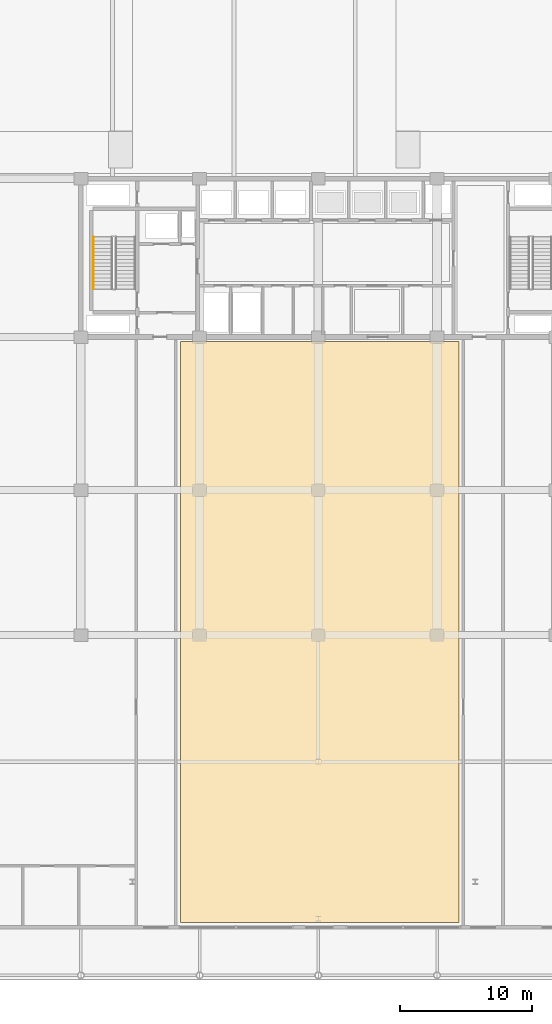
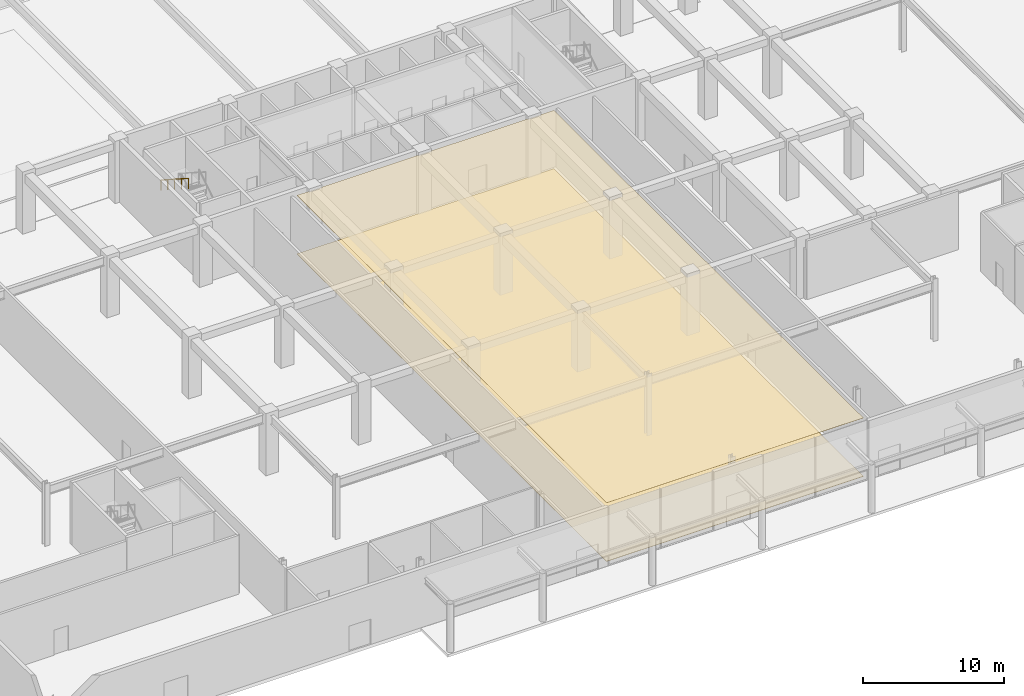
# One storey, part 34 of 46: 2 coverings, 1 railing.
"""IFC4 building model written with IfcOpenShell, lengths in metres."""

from ifc_helpers import new_model, si_unit, direction, frame, origin, origin_2d, place, context, subcontext, project, spatial, polyline, circle, outline, extrude, material, layer, layer_set, type_object, element, save


model = new_model("IFC4")

# Units and contexts
model_context = context("Model", 3, precision=1e-05, world=origin(), true_north=direction((0.0, 1.0)))
body_context = subcontext(model_context, "Body", "Model", "MODEL_VIEW")
ifc_project = project(units=[si_unit("LENGTHUNIT", "METRE"), si_unit("AREAUNIT", "SQUARE_METRE"), si_unit("VOLUMEUNIT", "CUBIC_METRE"), si_unit("PLANEANGLEUNIT", "RADIAN"), si_unit("MASSUNIT", "GRAM", prefix="KILO")], contexts=[model_context])

# Site, building, storey
site_placement = place(None, origin())
site = spatial("IfcSite", under=ifc_project, at=site_placement, CompositionType="ELEMENT")
building_placement = place(site_placement, origin())
building = spatial("IfcBuilding", under=site, at=building_placement, Name="Korimba Cascade Residences", CompositionType="ELEMENT")
storey_placement = place(building_placement, origin())
storey = spatial("IfcBuildingStorey", under=building, at=storey_placement, Name="L00", CompositionType="ELEMENT", Elevation=0.0)

# Coverings
ifc_material_1 = material(Name="Perforated Acoustic Gypsum Ceiling", Category="gypsum")
ifc_layer_1 = layer(ifc_material_1, 0.02490234375)
ifc_layer_set_1 = layer_set([ifc_layer_1], Name="Perforated Acoustic Gypsum Ceiling")
covering_type_1 = type_object("IfcCoveringType", Name="COV-CLG-AC", PredefinedType="CEILING", material=ifc_layer_set_1)
covering_1_placement = place(storey_placement, frame((0.0, 0.0, 5.074951171875)))
element("IfcCovering", 1, at=covering_1_placement, inside=storey, type_object=covering_type_1, Name="L00 Suspended Acoustic Ceiling L00-LB1", PredefinedType="CEILING", context=body_context, shape_type="SweptSolid", body=[
    extrude(outline(polyline([(89.64990234375, -26.0), (110.75, -26.0), (110.75, 18.050048828125), (89.64990234375, 18.050048828125), (89.64990234375, -26.0)])), origin(), (0.0, 0.0, 1.0), 0.025146484375),
])
ifc_material_2 = material(Name="Honed Travertine Stone Flooring", Category="masonry")
ifc_layer_2 = layer(ifc_material_2, 0.02490234375)
ifc_layer_set_2 = layer_set([ifc_layer_2], Name="Honed Travertine Stone Flooring")
covering_type_2 = type_object("IfcCoveringType", Name="COV-FLR-STN", PredefinedType="FLOORING", material=ifc_layer_set_2)
covering_2_placement = place(storey_placement, origin())
element("IfcCovering", 2, at=covering_2_placement, inside=storey, type_object=covering_type_2, Name="L00 Honed Travertine Stone Flooring L00-LB1", PredefinedType="FLOORING", context=body_context, shape_type="SweptSolid", body=[
    extrude(outline(polyline([(89.64990234375, -26.0), (110.75, -26.0), (110.75, 18.050048828125), (89.64990234375, 18.050048828125), (89.64990234375, -26.0)])), origin(), (0.0, 0.0, 1.0), 0.02490234375),
])

# Railing
ifc_material_3 = material(Name="Brushed Stainless Steel Handrail", Category="steel")
railing_type = type_object("IfcRailingType", Name="RLG-ST-HR900", PredefinedType="HANDRAIL", material=ifc_material_3)
railing_placement = place(storey_placement, frame((83.050048828125, 25.969970703125, 3.063720703125)))
element("IfcRailing", 3, at=railing_placement, inside=storey, type_object=railing_type, Name="L00 ST-E1 stair handrail 2", PredefinedType="HANDRAIL", context=body_context, shape_type="SweptSolid", body=[
    extrude(circle(Radius=0.02392578125, at=origin_2d()), frame((0.0, 0.0, 0.8759765625), z_axis=(0.0, -0.841171666519, 0.540768182723), x_axis=(1.0, 0.0, 0.0)), (0.0, 0.0, 1.0), 4.66015625),
    extrude(circle(Radius=0.02099609375, at=origin_2d()), origin(), (0.0, 0.0, 1.0), 0.851806640625),
    extrude(circle(Radius=0.02099609375, at=origin_2d()), frame((0.0, -0.97998046875, 0.6298828125)), (0.0, 0.0, 1.0), 0.851806640625),
    extrude(circle(Radius=0.02099609375, at=origin_2d()), frame((0.0, -1.9599609375, 1.260009765625)), (0.0, 0.0, 1.0), 0.851806640625),
    extrude(circle(Radius=0.02099609375, at=origin_2d()), frame((0.0, -2.93994140625, 1.89013671875)), (0.0, 0.0, 1.0), 0.851806640625),
    extrude(circle(Radius=0.02099609375, at=origin_2d()), frame((0.0, -3.919921875, 2.52001953125)), (0.0, 0.0, 1.0), 0.851806640625),
])

save(model, "model.ifc")
